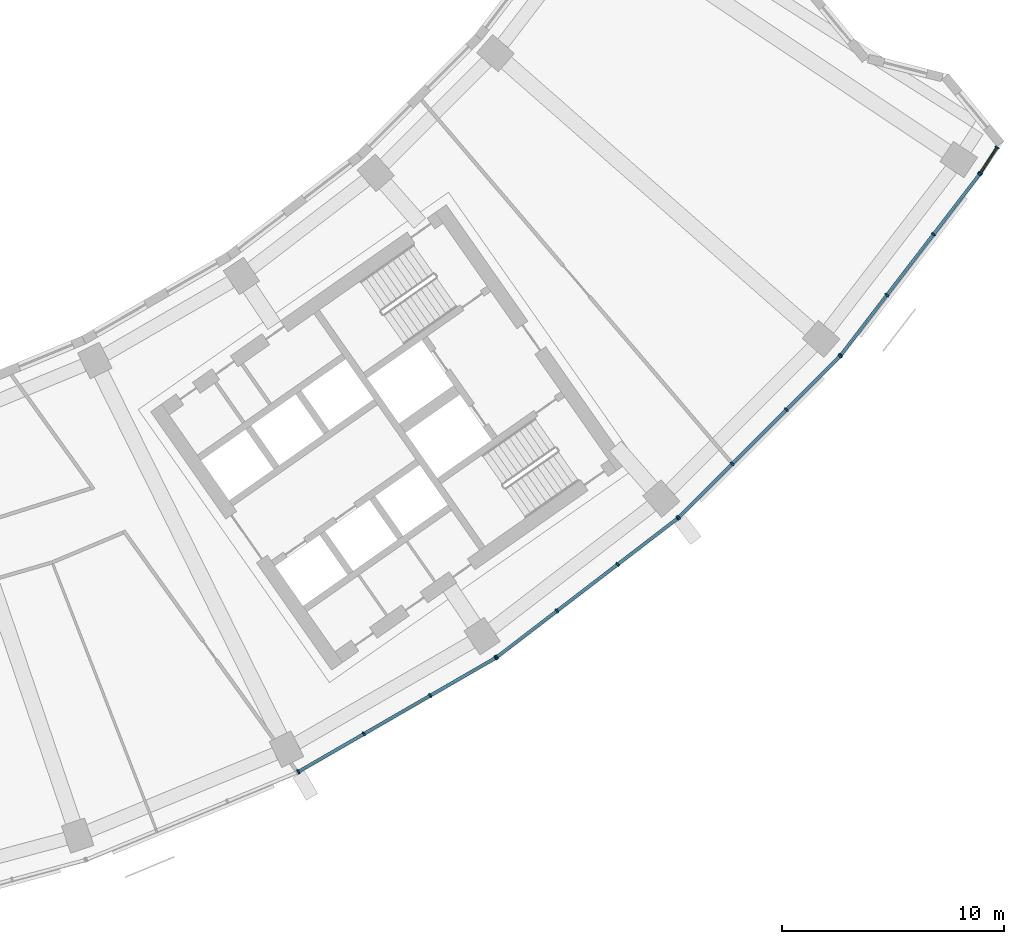
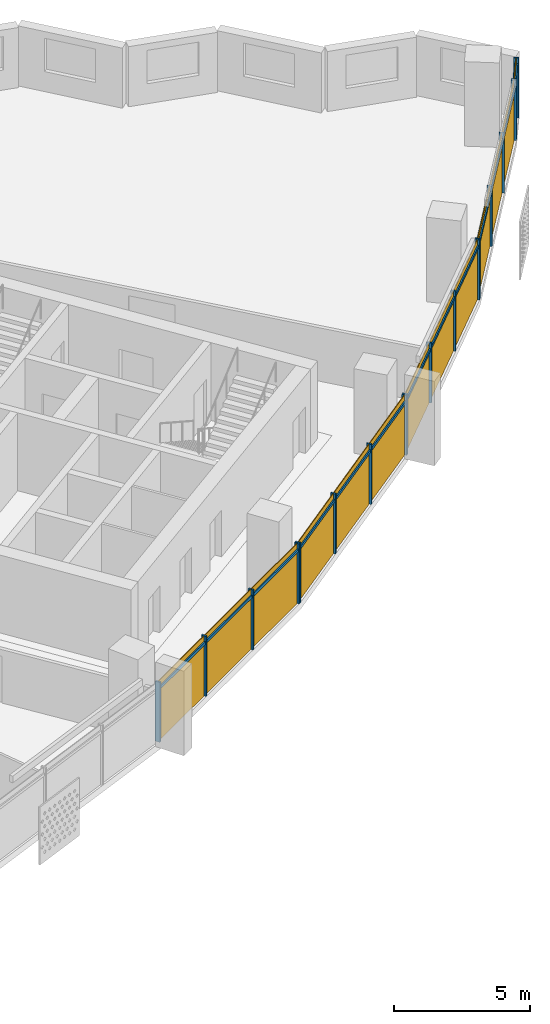
# One storey, part 20 of 27: 31 members, 5 curtain walls.
"""IFC4 building model written with IfcOpenShell, lengths in metres."""

from ifc_helpers import new_model, si_unit, direction, frame, origin, origin_2d, place, context, subcontext, project, spatial, rectangle, extrude, material, material_profile, profile_set, type_object, element, aggregate, save


model = new_model("IFC4")

# Units and contexts
model_context = context("Model", 3, precision=1e-05, world=origin(), true_north=direction((0.0, 1.0)))
body_context = subcontext(model_context, "Body", "Model", "MODEL_VIEW")
ifc_project = project(units=[si_unit("LENGTHUNIT", "METRE"), si_unit("AREAUNIT", "SQUARE_METRE"), si_unit("VOLUMEUNIT", "CUBIC_METRE"), si_unit("PLANEANGLEUNIT", "RADIAN"), si_unit("MASSUNIT", "GRAM", prefix="KILO")], contexts=[model_context])

# Member
ifc_material = material(Name="Aluminium 6063-T6 anodised", Category="aluminium")
ifc_material_profile_1 = material_profile(ifc_material, rectangle(XDim=0.199951171875, YDim=0.070068359375, at=origin_2d()))
ifc_profile_set_1 = profile_set([ifc_material_profile_1], Name="Aluminium 6063-T6 anodised")
member_type_1 = type_object("IfcMemberType", Name="Mullion 70 x 200 aluminium", PredefinedType="MULLION", material=ifc_profile_set_1)
site_placement = place(None, origin())
building_placement = place(site_placement, origin())
storey_placement = place(building_placement, frame((0.0, 0.0, 153.10009765625)))
member_1_placement = place(storey_placement, frame((34.921142578125, -70.748779296875, 0.0), z_axis=(0.0, 0.0, 1.0), x_axis=(-0.5, 0.866025403784, 0.0)))
member_1 = element("IfcMember", 1, at=member_1_placement, type_object=member_type_1, Name="e-cw1-L35-out11/M00", PredefinedType="MULLION", context=body_context, shape_type="SweptSolid", body=[
    extrude(rectangle(XDim=0.199951171875, YDim=0.070068359375, at=origin_2d()), origin(), (0.0, 0.0, 1.0), 2.699951171875),
])

member_2_placement = place(storey_placement, frame((37.873779296875, -69.0439453125, 0.0), z_axis=(0.0, 0.0, 1.0), x_axis=(-0.5, 0.866025403784, 0.0)))
member_2 = element("IfcMember", 2, at=member_2_placement, type_object=member_type_1, Name="e-cw1-L35-out11/M01", PredefinedType="MULLION", context=body_context, shape_type="SweptSolid", body=[
    extrude(rectangle(XDim=0.199951171875, YDim=0.070068359375, at=origin_2d()), origin(), (0.0, 0.0, 1.0), 2.699951171875),
])

member_3_placement = place(storey_placement, frame((40.85693359375, -67.32177734375, 0.0), z_axis=(0.0, 0.0, 1.0), x_axis=(-0.5, 0.866025403784, 0.0)))
member_3 = element("IfcMember", 3, at=member_3_placement, type_object=member_type_1, Name="e-cw1-L35-out11/M02", PredefinedType="MULLION", context=body_context, shape_type="SweptSolid", body=[
    extrude(rectangle(XDim=0.199951171875, YDim=0.070068359375, at=origin_2d()), origin(), (0.0, 0.0, 1.0), 2.699951171875),
])

member_4_placement = place(storey_placement, frame((43.809814453125, -65.616943359375, 0.0), z_axis=(0.0, 0.0, 1.0), x_axis=(-0.5, 0.866025403784, 0.0)))
member_4 = element("IfcMember", 4, at=member_4_placement, type_object=member_type_1, Name="e-cw1-L35-out11/M03", PredefinedType="MULLION", context=body_context, shape_type="SweptSolid", body=[
    extrude(rectangle(XDim=0.199951171875, YDim=0.070068359375, at=origin_2d()), origin(), (0.0, 0.0, 1.0), 2.699951171875),
])

member_5_placement = place(storey_placement, frame((43.85693359375, -65.58544921875, 0.0), z_axis=(0.0, 0.0, 1.0), x_axis=(-0.608761429009, 0.793353340291, 0.0)))
member_5 = element("IfcMember", 5, at=member_5_placement, type_object=member_type_1, Name="e-cw1-L35-out12/M00", PredefinedType="MULLION", context=body_context, shape_type="SweptSolid", body=[
    extrude(rectangle(XDim=0.199951171875, YDim=0.070068359375, at=origin_2d()), origin(), (0.0, 0.0, 1.0), 2.699951171875),
])

member_6_placement = place(storey_placement, frame((46.56201171875, -63.509765625, 0.0), z_axis=(0.0, 0.0, 1.0), x_axis=(-0.608761429009, 0.793353340291, 0.0)))
member_6 = element("IfcMember", 6, at=member_6_placement, type_object=member_type_1, Name="e-cw1-L35-out12/M01", PredefinedType="MULLION", context=body_context, shape_type="SweptSolid", body=[
    extrude(rectangle(XDim=0.199951171875, YDim=0.070068359375, at=origin_2d()), origin(), (0.0, 0.0, 1.0), 2.699951171875),
])

member_7_placement = place(storey_placement, frame((49.294677734375, -61.412841796875, 0.0), z_axis=(0.0, 0.0, 1.0), x_axis=(-0.608761429009, 0.793353340291, 0.0)))
member_7 = element("IfcMember", 7, at=member_7_placement, type_object=member_type_1, Name="e-cw1-L35-out12/M02", PredefinedType="MULLION", context=body_context, shape_type="SweptSolid", body=[
    extrude(rectangle(XDim=0.199951171875, YDim=0.070068359375, at=origin_2d()), origin(), (0.0, 0.0, 1.0), 2.699951171875),
])

member_8_placement = place(storey_placement, frame((51.999755859375, -59.33740234375, 0.0), z_axis=(0.0, 0.0, 1.0), x_axis=(-0.608761429009, 0.793353340291, 0.0)))
member_8 = element("IfcMember", 8, at=member_8_placement, type_object=member_type_1, Name="e-cw1-L35-out12/M03", PredefinedType="MULLION", context=body_context, shape_type="SweptSolid", body=[
    extrude(rectangle(XDim=0.199951171875, YDim=0.070068359375, at=origin_2d()), origin(), (0.0, 0.0, 1.0), 2.699951171875),
])

member_9_placement = place(storey_placement, frame((52.042236328125, -59.2998046875, 0.0), z_axis=(0.0, 0.0, 1.0), x_axis=(-0.707106781187, 0.707106781187, 0.0)))
member_9 = element("IfcMember", 9, at=member_9_placement, type_object=member_type_1, Name="e-cw1-L35-out13/M00", PredefinedType="MULLION", context=body_context, shape_type="SweptSolid", body=[
    extrude(rectangle(XDim=0.199951171875, YDim=0.070068359375, at=origin_2d()), origin(), (0.0, 0.0, 1.0), 2.699951171875),
])

member_10_placement = place(storey_placement, frame((54.453369140625, -56.888916015625, 0.0), z_axis=(0.0, 0.0, 1.0), x_axis=(-0.707106781187, 0.707106781187, 0.0)))
member_10 = element("IfcMember", 10, at=member_10_placement, type_object=member_type_1, Name="e-cw1-L35-out13/M01", PredefinedType="MULLION", context=body_context, shape_type="SweptSolid", body=[
    extrude(rectangle(XDim=0.199951171875, YDim=0.070068359375, at=origin_2d()), origin(), (0.0, 0.0, 1.0), 2.699951171875),
])

member_11_placement = place(storey_placement, frame((56.888916015625, -54.453369140625, 0.0), z_axis=(0.0, 0.0, 1.0), x_axis=(-0.707106781187, 0.707106781187, 0.0)))
member_11 = element("IfcMember", 11, at=member_11_placement, type_object=member_type_1, Name="e-cw1-L35-out13/M02", PredefinedType="MULLION", context=body_context, shape_type="SweptSolid", body=[
    extrude(rectangle(XDim=0.199951171875, YDim=0.070068359375, at=origin_2d()), origin(), (0.0, 0.0, 1.0), 2.699951171875),
])

member_12_placement = place(storey_placement, frame((59.2998046875, -52.042236328125, 0.0), z_axis=(0.0, 0.0, 1.0), x_axis=(-0.707106781187, 0.707106781187, 0.0)))
member_12 = element("IfcMember", 12, at=member_12_placement, type_object=member_type_1, Name="e-cw1-L35-out13/M03", PredefinedType="MULLION", context=body_context, shape_type="SweptSolid", body=[
    extrude(rectangle(XDim=0.199951171875, YDim=0.070068359375, at=origin_2d()), origin(), (0.0, 0.0, 1.0), 2.699951171875),
])

member_13_placement = place(storey_placement, frame((59.33740234375, -51.999755859375, 0.0), z_axis=(0.0, 0.0, 1.0), x_axis=(-0.793353340291, 0.608761429009, 0.0)))
member_13 = element("IfcMember", 13, at=member_13_placement, type_object=member_type_1, Name="e-cw1-L35-out14/M00", PredefinedType="MULLION", context=body_context, shape_type="SweptSolid", body=[
    extrude(rectangle(XDim=0.199951171875, YDim=0.070068359375, at=origin_2d()), origin(), (0.0, 0.0, 1.0), 2.699951171875),
])

member_14_placement = place(storey_placement, frame((61.412841796875, -49.294677734375, 0.0), z_axis=(0.0, 0.0, 1.0), x_axis=(-0.793353340291, 0.608761429009, 0.0)))
member_14 = element("IfcMember", 14, at=member_14_placement, type_object=member_type_1, Name="e-cw1-L35-out14/M01", PredefinedType="MULLION", context=body_context, shape_type="SweptSolid", body=[
    extrude(rectangle(XDim=0.199951171875, YDim=0.070068359375, at=origin_2d()), origin(), (0.0, 0.0, 1.0), 2.699951171875),
])

member_15_placement = place(storey_placement, frame((63.509765625, -46.56201171875, 0.0), z_axis=(0.0, 0.0, 1.0), x_axis=(-0.793353340291, 0.608761429009, 0.0)))
member_15 = element("IfcMember", 15, at=member_15_placement, type_object=member_type_1, Name="e-cw1-L35-out14/M02", PredefinedType="MULLION", context=body_context, shape_type="SweptSolid", body=[
    extrude(rectangle(XDim=0.199951171875, YDim=0.070068359375, at=origin_2d()), origin(), (0.0, 0.0, 1.0), 2.699951171875),
])

member_16_placement = place(storey_placement, frame((65.58544921875, -43.85693359375, 0.0), z_axis=(0.0, 0.0, 1.0), x_axis=(-0.793353340291, 0.608761429009, 0.0)))
member_16 = element("IfcMember", 16, at=member_16_placement, type_object=member_type_1, Name="e-cw1-L35-out14/M03", PredefinedType="MULLION", context=body_context, shape_type="SweptSolid", body=[
    extrude(rectangle(XDim=0.199951171875, YDim=0.070068359375, at=origin_2d()), origin(), (0.0, 0.0, 1.0), 2.699951171875),
])

member_17_placement = place(storey_placement, frame((65.621337890625, -43.80615234375, 0.0), z_axis=(0.0, 0.0, 1.0), x_axis=(-0.83784444888, 0.545909039567, 0.0)))
member_17 = element("IfcMember", 17, at=member_17_placement, type_object=member_type_1, Name="e-cw1-L35-out15/M00", PredefinedType="MULLION", context=body_context, shape_type="SweptSolid", body=[
    extrude(rectangle(XDim=0.199951171875, YDim=0.070068359375, at=origin_2d()), origin(), (0.0, 0.0, 1.0), 2.699951171875),
])

member_18_placement = place(storey_placement, frame((66.371337890625, -42.655029296875, 0.0), z_axis=(0.0, 0.0, 1.0), x_axis=(-0.83784444888, 0.545909039567, 0.0)))
member_18 = element("IfcMember", 18, at=member_18_placement, type_object=member_type_1, Name="e-cw1-L35-out15/M01", PredefinedType="MULLION", context=body_context, shape_type="SweptSolid", body=[
    extrude(rectangle(XDim=0.199951171875, YDim=0.070068359375, at=origin_2d()), origin(), (0.0, 0.0, 1.0), 2.699951171875),
])

ifc_material_profile_2 = material_profile(ifc_material, rectangle(XDim=0.139892578125, YDim=0.1201171875, at=origin_2d()))
ifc_profile_set_2 = profile_set([ifc_material_profile_2], Name="Aluminium 6063-T6 anodised")
member_type_2 = type_object("IfcMemberType", Name="Transom 120 x 140 aluminium", PredefinedType="USERDEFINED", material=ifc_profile_set_2)
member_19_placement = place(storey_placement, frame((34.951416015625, -70.7314453125, 2.39990234375), z_axis=(0.866002968352, 0.500038857296, 0.0), x_axis=(-0.500038857296, 0.866002968352, 0.0)))
member_19 = element("IfcMember", 19, at=member_19_placement, type_object=member_type_2, Name="e-cw1-L35-out11/T00", ObjectType="TRANSOM", PredefinedType="USERDEFINED", context=body_context, shape_type="SweptSolid", body=[
    extrude(rectangle(XDim=0.139892578125, YDim=0.1201171875, at=origin_2d()), origin(), (0.0, 0.0, 1.0), 3.339599609375),
])

member_20_placement = place(storey_placement, frame((37.904296875, -69.026611328125, 2.39990234375), z_axis=(0.86602172966, 0.500006363716, 0.0), x_axis=(-0.500006363716, 0.86602172966, 0.0)))
member_20 = element("IfcMember", 20, at=member_20_placement, type_object=member_type_2, Name="e-cw1-L35-out11/T01", ObjectType="TRANSOM", PredefinedType="USERDEFINED", context=body_context, shape_type="SweptSolid", body=[
    extrude(rectangle(XDim=0.139892578125, YDim=0.1201171875, at=origin_2d()), origin(), (0.0, 0.0, 1.0), 3.37451171875),
])

member_21_placement = place(storey_placement, frame((40.88720703125, -67.30419921875, 2.39990234375), z_axis=(0.866052898888, 0.49995237406, 0.0), x_axis=(-0.49995237406, 0.866052898888, 0.0)))
member_21 = element("IfcMember", 21, at=member_21_placement, type_object=member_type_2, Name="e-cw1-L35-out11/T02", ObjectType="TRANSOM", PredefinedType="USERDEFINED", context=body_context, shape_type="SweptSolid", body=[
    extrude(rectangle(XDim=0.139892578125, YDim=0.1201171875, at=origin_2d()), origin(), (0.0, 0.0, 1.0), 3.339599609375),
])

member_22_placement = place(storey_placement, frame((43.884765625, -65.564208984375, 2.39990234375), z_axis=(0.793354486861, 0.608759934767, 0.0), x_axis=(-0.608759934767, 0.793354486861, 0.0)))
member_22 = element("IfcMember", 22, at=member_22_placement, type_object=member_type_2, Name="e-cw1-L35-out12/T00", ObjectType="TRANSOM", PredefinedType="USERDEFINED", context=body_context, shape_type="SweptSolid", body=[
    extrude(rectangle(XDim=0.139892578125, YDim=0.1201171875, at=origin_2d()), origin(), (0.0, 0.0, 1.0), 3.339599609375),
])

member_23_placement = place(storey_placement, frame((46.589599609375, -63.488525390625, 2.39990234375), z_axis=(0.793371081522, 0.608738307489, 0.0), x_axis=(-0.608738307489, 0.793371081522, 0.0)))
member_23 = element("IfcMember", 23, at=member_23_placement, type_object=member_type_2, Name="e-cw1-L35-out12/T01", ObjectType="TRANSOM", PredefinedType="USERDEFINED", context=body_context, shape_type="SweptSolid", body=[
    extrude(rectangle(XDim=0.139892578125, YDim=0.1201171875, at=origin_2d()), origin(), (0.0, 0.0, 1.0), 3.37451171875),
])

member_24_placement = place(storey_placement, frame((49.322509765625, -61.3916015625, 2.39990234375), z_axis=(0.793354486861, 0.608759934767, 0.0), x_axis=(-0.608759934767, 0.793354486861, 0.0)))
member_24 = element("IfcMember", 24, at=member_24_placement, type_object=member_type_2, Name="e-cw1-L35-out12/T02", ObjectType="TRANSOM", PredefinedType="USERDEFINED", context=body_context, shape_type="SweptSolid", body=[
    extrude(rectangle(XDim=0.139892578125, YDim=0.1201171875, at=origin_2d()), origin(), (0.0, 0.0, 1.0), 3.339599609375),
])

member_25_placement = place(storey_placement, frame((52.067138671875, -59.275146484375, 2.39990234375), z_axis=(0.707106781187, 0.707106781187, 0.0), x_axis=(-0.707106781187, 0.707106781187, 0.0)))
member_25 = element("IfcMember", 25, at=member_25_placement, type_object=member_type_2, Name="e-cw1-L35-out13/T00", ObjectType="TRANSOM", PredefinedType="USERDEFINED", context=body_context, shape_type="SweptSolid", body=[
    extrude(rectangle(XDim=0.139892578125, YDim=0.1201171875, at=origin_2d()), origin(), (0.0, 0.0, 1.0), 3.33935546875),
])

member_26_placement = place(storey_placement, frame((54.47802734375, -56.8642578125, 2.39990234375), z_axis=(0.707106781187, 0.707106781187, 0.0), x_axis=(-0.707106781187, 0.707106781187, 0.0)))
member_26 = element("IfcMember", 26, at=member_26_placement, type_object=member_type_2, Name="e-cw1-L35-out13/T01", ObjectType="TRANSOM", PredefinedType="USERDEFINED", context=body_context, shape_type="SweptSolid", body=[
    extrude(rectangle(XDim=0.139892578125, YDim=0.1201171875, at=origin_2d()), origin(), (0.0, 0.0, 1.0), 3.374755859375),
])

member_27_placement = place(storey_placement, frame((56.913818359375, -54.428466796875, 2.39990234375), z_axis=(0.707106781187, 0.707106781187, 0.0), x_axis=(-0.707106781187, 0.707106781187, 0.0)))
member_27 = element("IfcMember", 27, at=member_27_placement, type_object=member_type_2, Name="e-cw1-L35-out13/T02", ObjectType="TRANSOM", PredefinedType="USERDEFINED", context=body_context, shape_type="SweptSolid", body=[
    extrude(rectangle(XDim=0.139892578125, YDim=0.1201171875, at=origin_2d()), origin(), (0.0, 0.0, 1.0), 3.33935546875),
])

member_28_placement = place(storey_placement, frame((59.358642578125, -51.971923828125, 2.39990234375), z_axis=(0.608759934767, 0.793354486861, 0.0), x_axis=(-0.793354486861, 0.608759934767, 0.0)))
member_28 = element("IfcMember", 28, at=member_28_placement, type_object=member_type_2, Name="e-cw1-L35-out14/T00", ObjectType="TRANSOM", PredefinedType="USERDEFINED", context=body_context, shape_type="SweptSolid", body=[
    extrude(rectangle(XDim=0.139892578125, YDim=0.1201171875, at=origin_2d()), origin(), (0.0, 0.0, 1.0), 3.339599609375),
])

member_29_placement = place(storey_placement, frame((61.434326171875, -49.266845703125, 2.39990234375), z_axis=(0.608738307489, 0.793371081522, 0.0), x_axis=(-0.793371081522, 0.608738307489, 0.0)))
member_29 = element("IfcMember", 29, at=member_29_placement, type_object=member_type_2, Name="e-cw1-L35-out14/T01", ObjectType="TRANSOM", PredefinedType="USERDEFINED", context=body_context, shape_type="SweptSolid", body=[
    extrude(rectangle(XDim=0.139892578125, YDim=0.1201171875, at=origin_2d()), origin(), (0.0, 0.0, 1.0), 3.37451171875),
])

member_30_placement = place(storey_placement, frame((63.53125, -46.5341796875, 2.39990234375), z_axis=(0.608759934767, 0.793354486861, 0.0), x_axis=(-0.793354486861, 0.608759934767, 0.0)))
member_30 = element("IfcMember", 30, at=member_30_placement, type_object=member_type_2, Name="e-cw1-L35-out14/T02", ObjectType="TRANSOM", PredefinedType="USERDEFINED", context=body_context, shape_type="SweptSolid", body=[
    extrude(rectangle(XDim=0.139892578125, YDim=0.1201171875, at=origin_2d()), origin(), (0.0, 0.0, 1.0), 3.339599609375),
])

member_31_placement = place(storey_placement, frame((65.640625, -43.77685546875, 2.39990234375), z_axis=(0.545810768902, 0.83790847027, 0.0), x_axis=(-0.83790847027, 0.545810768902, 0.0)))
member_31 = element("IfcMember", 31, at=member_31_placement, type_object=member_type_2, Name="e-cw1-L35-out15/T00", ObjectType="TRANSOM", PredefinedType="USERDEFINED", context=body_context, shape_type="SweptSolid", body=[
    extrude(rectangle(XDim=0.139892578125, YDim=0.1201171875, at=origin_2d()), origin(), (0.0, 0.0, 1.0), 1.303955078125),
])

# Site, building, storey
site = spatial("IfcSite", under=ifc_project, at=site_placement, CompositionType="ELEMENT")
building = spatial("IfcBuilding", under=site, at=building_placement, Name="Qamariyya Broadcast Tower", CompositionType="ELEMENT")
storey = spatial("IfcBuildingStorey", under=building, at=storey_placement, Name="L35", CompositionType="ELEMENT", Elevation=153.10009765625)

# Curtain wall
curtain_wall_type = type_object("IfcCurtainWallType", Name="Unitised curtain wall, anodised aluminium", PredefinedType="NOTDEFINED", material=ifc_material)
curtain_wall_1_placement = place(storey_placement, origin())
curtain_wall_1 = element("IfcCurtainWall", 32, at=curtain_wall_1_placement, inside=storey, type_object=curtain_wall_type, Name="e-cw1-L35-out11", PredefinedType="NOTDEFINED", context=body_context, shape_type="SweptSolid", body=[
    extrude(rectangle(XDim=3.339599609375, YDim=0.031982421875, at=origin_2d()), frame((36.3974609375, -69.896484375, 0.0), x_axis=(0.866028999376, 0.499993772201, 0.0)), (0.0, 0.0, 1.0), 2.340087890625),
    extrude(rectangle(XDim=3.339599609375, YDim=0.031982421875, at=origin_2d()), frame((36.3974609375, -69.896484375, 2.4599609375), x_axis=(0.866028999376, 0.499993772201, 0.0)), (0.0, 0.0, 1.0), 0.239990234375),
    extrude(rectangle(XDim=3.37451171875, YDim=0.031982421875, at=origin_2d()), frame((39.365478515625, -68.18310546875, 0.0), x_axis=(0.866028999376, 0.499993772201, 0.0)), (0.0, 0.0, 1.0), 2.340087890625),
    extrude(rectangle(XDim=3.37451171875, YDim=0.031982421875, at=origin_2d()), frame((39.365478515625, -68.18310546875, 2.4599609375), x_axis=(0.866028999376, 0.499993772201, 0.0)), (0.0, 0.0, 1.0), 0.239990234375),
    extrude(rectangle(XDim=3.339599609375, YDim=0.031982421875, at=origin_2d()), frame((42.33349609375, -66.469482421875, 0.0), x_axis=(0.866028999376, 0.499993772201, 0.0)), (0.0, 0.0, 1.0), 2.340087890625),
    extrude(rectangle(XDim=3.339599609375, YDim=0.031982421875, at=origin_2d()), frame((42.33349609375, -66.469482421875, 2.4599609375), x_axis=(0.866028999376, 0.499993772201, 0.0)), (0.0, 0.0, 1.0), 0.239990234375),
])

aggregate(curtain_wall_1, [member_1, member_2, member_3, member_4, member_19, member_20, member_21])

curtain_wall_2_placement = place(storey_placement, origin())
curtain_wall_2 = element("IfcCurtainWall", 33, at=curtain_wall_2_placement, inside=storey, type_object=curtain_wall_type, Name="e-cw1-L35-out12", PredefinedType="NOTDEFINED", context=body_context, shape_type="SweptSolid", body=[
    extrude(rectangle(XDim=3.339599609375, YDim=0.031982421875, at=origin_2d()), frame((45.20947265625, -64.547607421875, 0.0), x_axis=(0.793351517557, 0.608763804434, 0.0)), (0.0, 0.0, 1.0), 2.340087890625),
    extrude(rectangle(XDim=3.339599609375, YDim=0.031982421875, at=origin_2d()), frame((45.20947265625, -64.547607421875, 2.4599609375), x_axis=(0.793351517557, 0.608763804434, 0.0)), (0.0, 0.0, 1.0), 0.239990234375),
    extrude(rectangle(XDim=3.37451171875, YDim=0.031982421875, at=origin_2d()), frame((47.92822265625, -62.46142578125, 0.0), x_axis=(0.793351517557, 0.608763804434, 0.0)), (0.0, 0.0, 1.0), 2.340087890625),
    extrude(rectangle(XDim=3.37451171875, YDim=0.031982421875, at=origin_2d()), frame((47.92822265625, -62.46142578125, 2.4599609375), x_axis=(0.793351517557, 0.608763804434, 0.0)), (0.0, 0.0, 1.0), 0.239990234375),
    extrude(rectangle(XDim=3.339599609375, YDim=0.031982421875, at=origin_2d()), frame((50.64697265625, -60.375, 0.0), x_axis=(0.793351517557, 0.608763804434, 0.0)), (0.0, 0.0, 1.0), 2.340087890625),
    extrude(rectangle(XDim=3.339599609375, YDim=0.031982421875, at=origin_2d()), frame((50.64697265625, -60.375, 2.4599609375), x_axis=(0.793351517557, 0.608763804434, 0.0)), (0.0, 0.0, 1.0), 0.239990234375),
])

aggregate(curtain_wall_2, [member_5, member_6, member_7, member_8, member_22, member_23, member_24])

curtain_wall_3_placement = place(storey_placement, origin())
curtain_wall_3 = element("IfcCurtainWall", 34, at=curtain_wall_3_placement, inside=storey, type_object=curtain_wall_type, Name="e-cw1-L35-out13", PredefinedType="NOTDEFINED", context=body_context, shape_type="SweptSolid", body=[
    extrude(rectangle(XDim=3.339599609375, YDim=0.031982421875, at=origin_2d()), frame((53.247802734375, -58.094482421875, 0.0), x_axis=(0.707106781187, 0.707106781187, 0.0)), (0.0, 0.0, 1.0), 2.340087890625),
    extrude(rectangle(XDim=3.339599609375, YDim=0.031982421875, at=origin_2d()), frame((53.247802734375, -58.094482421875, 2.4599609375), x_axis=(0.707106781187, 0.707106781187, 0.0)), (0.0, 0.0, 1.0), 0.239990234375),
    extrude(rectangle(XDim=3.37451171875, YDim=0.031982421875, at=origin_2d()), frame((55.671142578125, -55.671142578125, 0.0), x_axis=(0.707106781187, 0.707106781187, 0.0)), (0.0, 0.0, 1.0), 2.340087890625),
    extrude(rectangle(XDim=3.37451171875, YDim=0.031982421875, at=origin_2d()), frame((55.671142578125, -55.671142578125, 2.4599609375), x_axis=(0.707106781187, 0.707106781187, 0.0)), (0.0, 0.0, 1.0), 0.239990234375),
    extrude(rectangle(XDim=3.339599609375, YDim=0.031982421875, at=origin_2d()), frame((58.094482421875, -53.247802734375, 0.0), x_axis=(0.707106781187, 0.707106781187, 0.0)), (0.0, 0.0, 1.0), 2.340087890625),
    extrude(rectangle(XDim=3.339599609375, YDim=0.031982421875, at=origin_2d()), frame((58.094482421875, -53.247802734375, 2.4599609375), x_axis=(0.707106781187, 0.707106781187, 0.0)), (0.0, 0.0, 1.0), 0.239990234375),
])

aggregate(curtain_wall_3, [member_9, member_10, member_11, member_12, member_25, member_26, member_27])

curtain_wall_4_placement = place(storey_placement, origin())
curtain_wall_4 = element("IfcCurtainWall", 35, at=curtain_wall_4_placement, inside=storey, type_object=curtain_wall_type, Name="e-cw1-L35-out14", PredefinedType="NOTDEFINED", context=body_context, shape_type="SweptSolid", body=[
    extrude(rectangle(XDim=3.339599609375, YDim=0.031982421875, at=origin_2d()), frame((60.375, -50.64697265625, 0.0), x_axis=(0.608763804434, 0.793351517557, 0.0)), (0.0, 0.0, 1.0), 2.340087890625),
    extrude(rectangle(XDim=3.339599609375, YDim=0.031982421875, at=origin_2d()), frame((60.375, -50.64697265625, 2.4599609375), x_axis=(0.608763804434, 0.793351517557, 0.0)), (0.0, 0.0, 1.0), 0.239990234375),
    extrude(rectangle(XDim=3.37451171875, YDim=0.031982421875, at=origin_2d()), frame((62.46142578125, -47.92822265625, 0.0), x_axis=(0.608763804434, 0.793351517557, 0.0)), (0.0, 0.0, 1.0), 2.340087890625),
    extrude(rectangle(XDim=3.37451171875, YDim=0.031982421875, at=origin_2d()), frame((62.46142578125, -47.92822265625, 2.4599609375), x_axis=(0.608763804434, 0.793351517557, 0.0)), (0.0, 0.0, 1.0), 0.239990234375),
    extrude(rectangle(XDim=3.339599609375, YDim=0.031982421875, at=origin_2d()), frame((64.547607421875, -45.20947265625, 0.0), x_axis=(0.608763804434, 0.793351517557, 0.0)), (0.0, 0.0, 1.0), 2.340087890625),
    extrude(rectangle(XDim=3.339599609375, YDim=0.031982421875, at=origin_2d()), frame((64.547607421875, -45.20947265625, 2.4599609375), x_axis=(0.608763804434, 0.793351517557, 0.0)), (0.0, 0.0, 1.0), 0.239990234375),
])

aggregate(curtain_wall_4, [member_13, member_14, member_15, member_16, member_28, member_29, member_30])

curtain_wall_5_placement = place(storey_placement, origin())
curtain_wall_5 = element("IfcCurtainWall", 36, at=curtain_wall_5_placement, inside=storey, type_object=curtain_wall_type, Name="e-cw1-L35-out15", PredefinedType="NOTDEFINED", context=body_context, shape_type="SweptSolid", body=[
    extrude(rectangle(XDim=1.3037109375, YDim=0.031982421875, at=origin_2d()), frame((65.996337890625, -43.23046875, 0.0), x_axis=(0.54584990029, 0.837882978914, 0.0)), (0.0, 0.0, 1.0), 2.340087890625),
    extrude(rectangle(XDim=1.3037109375, YDim=0.031982421875, at=origin_2d()), frame((65.996337890625, -43.23046875, 2.4599609375), x_axis=(0.54584990029, 0.837882978914, 0.0)), (0.0, 0.0, 1.0), 0.239990234375),
])

aggregate(curtain_wall_5, [member_17, member_18, member_31])

save(model, "model.ifc")
